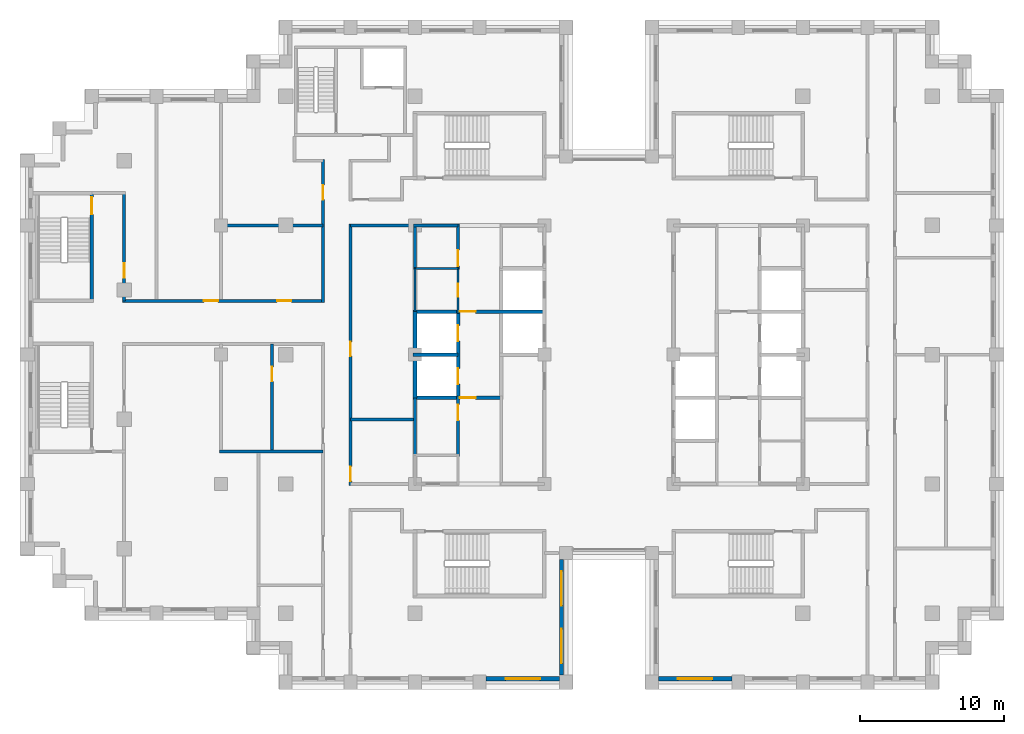
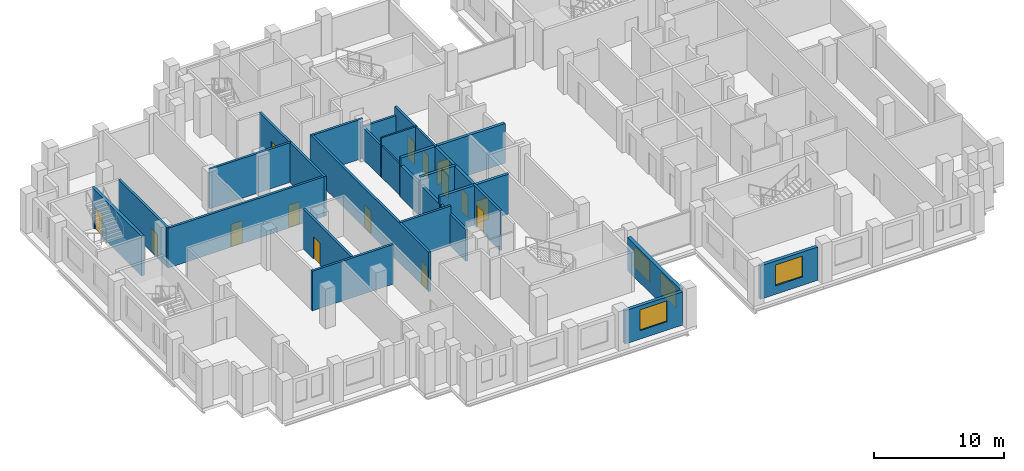
# One storey, part 7 of 15: 26 walls, 15 doors, 4 windows, 19 openings.
"""IFC4 building model written with IfcOpenShell, lengths in metres."""

from ifc_helpers import new_model, si_unit, direction, frame, frame_2d, origin, place, context, subcontext, project, spatial, rectangle, extrude, material, layer, layer_set, type_object, element, fill, save


model = new_model("IFC4")

# Units and contexts
model_context = context("Model", 3, precision=1e-05, world=origin(), true_north=direction((0.0, 1.0)))
body_context = subcontext(model_context, "Body", "Model", "MODEL_VIEW")
ifc_project = project(units=[si_unit("LENGTHUNIT", "METRE"), si_unit("AREAUNIT", "SQUARE_METRE"), si_unit("VOLUMEUNIT", "CUBIC_METRE"), si_unit("PLANEANGLEUNIT", "RADIAN"), si_unit("MASSUNIT", "GRAM", prefix="KILO")], contexts=[model_context])

# Site, building, storey
site_placement = place(None, origin())
site = spatial("IfcSite", under=ifc_project, at=site_placement, CompositionType="ELEMENT")
building_placement = place(site_placement, origin())
building = spatial("IfcBuilding", under=site, at=building_placement, Name="Corbelhall Arena Tower", CompositionType="ELEMENT")
storey_placement = place(building_placement, frame((0.0, 0.0, 188.0)))
storey = spatial("IfcBuildingStorey", under=building, at=storey_placement, Name="L38", CompositionType="ELEMENT", Elevation=188.0)

# Wall, opening, window
ifc_material_1 = material(Name="Precast concrete C40/50 with granite facing", Category="masonry")
ifc_layer_1 = layer(ifc_material_1, 0.300048828125)
ifc_layer_set_1 = layer_set([ifc_layer_1], Name="EV-IW1 Infill panel 300")
wall_type_1 = type_object("IfcWallType", Name="EV-IW1 Infill panel 300", PredefinedType="SOLIDWALL", material=ifc_layer_set_1)
wall_1_placement = place(storey_placement, frame((-8.550048828125, -22.550048828125, 0.0), z_axis=(0.0, 0.0, 1.0), x_axis=(1.0, 0.0, 0.0)))
wall_1 = element("IfcWall", 1, at=wall_1_placement, inside=storey, type_object=wall_type_1, Name="Infill panel IW1", PredefinedType="SOLIDWALL", context=body_context, shape_type="SweptSolid", body=[
    extrude(rectangle(XDim=5.10009765625, YDim=0.300048828125, at=frame_2d((2.550048828125, 0.0))), origin(), (0.0, 0.0, 1.0), 3.1201171875),
])
opening_1_placement = place(wall_1_placement, frame((1.35009765625, 0.0, 0.800048828125)))
opening_1 = element("IfcOpeningElement", 2, at=opening_1_placement, cuts=wall_1, Name="Opening WN1", PredefinedType="OPENING", context=body_context, shape_type="SweptSolid", body=[
    extrude(rectangle(XDim=2.39990234375, YDim=1.949951171875, at=frame_2d((1.199951171875, 0.97509765625))), frame((0.0, 0.14990234375, 0.0), z_axis=(0.0, -1.0, 0.0), x_axis=(1.0, 0.0, 0.0)), (0.0, 0.0, 1.0), 0.300048828125),
])
ifc_material_2 = material(Name="Aluminium black anodised", Category="aluminium")
window_type = type_object("IfcWindowType", Name="EV-WN1 Office window", PartitioningType="SINGLE_PANEL", PredefinedType="WINDOW", material=ifc_material_2)
window_1_placement = place(opening_1_placement, origin())
window_1 = element("IfcWindow", 3, at=window_1_placement, inside=storey, type_object=window_type, Name="Window WN1", OverallHeight=1.949951171875, OverallWidth=2.39990234375, PartitioningType="SINGLE_PANEL", PredefinedType="WINDOW", context=body_context, shape_type="SweptSolid", body=[
    extrude(rectangle(XDim=2.39990234375, YDim=1.949951171875, at=frame_2d((1.199951171875, 0.97509765625))), frame((0.0, 0.030029296875, 0.0), z_axis=(0.0, -1.0, 0.0), x_axis=(1.0, 0.0, 0.0)), (0.0, 0.0, 1.0), 0.06005859375),
])
fill(opening_1, window_1)

# Wall, openings, windows
wall_2_placement = place(storey_placement, frame((-3.300048828125, -22.300048828125, 0.0), z_axis=(0.0, 0.0, 1.0), x_axis=(0.0, 1.0, 0.0)))
wall_2 = element("IfcWall", 4, at=wall_2_placement, inside=storey, type_object=wall_type_1, Name="Infill panel IW1", PredefinedType="SOLIDWALL", context=body_context, shape_type="SweptSolid", body=[
    extrude(rectangle(XDim=8.050048828125, YDim=0.300048828125, at=frame_2d((4.02490234375, 0.0))), origin(), (0.0, 0.0, 1.0), 3.1201171875),
])
opening_2_placement = place(wall_2_placement, frame((0.8125, 0.0, 0.800048828125)))
opening_2 = element("IfcOpeningElement", 5, at=opening_2_placement, cuts=wall_2, Name="Opening WN1", PredefinedType="OPENING", context=body_context, shape_type="SweptSolid", body=[
    extrude(rectangle(XDim=2.39990234375, YDim=1.949951171875, at=frame_2d((1.199951171875, 0.97509765625))), frame((0.0, 0.14990234375, 0.0), z_axis=(0.0, -1.0, 0.0), x_axis=(1.0, 0.0, 0.0)), (0.0, 0.0, 1.0), 0.300048828125),
])
opening_3_placement = place(wall_2_placement, frame((4.83740234375, 0.0, 0.800048828125)))
opening_3 = element("IfcOpeningElement", 6, at=opening_3_placement, cuts=wall_2, Name="Opening WN1", PredefinedType="OPENING", context=body_context, shape_type="SweptSolid", body=[
    extrude(rectangle(XDim=2.39990234375, YDim=1.949951171875, at=frame_2d((1.199951171875, 0.97509765625))), frame((0.0, 0.14990234375, 0.0), z_axis=(0.0, -1.0, 0.0), x_axis=(1.0, 0.0, 0.0)), (0.0, 0.0, 1.0), 0.300048828125),
])
window_2_placement = place(opening_2_placement, origin())
window_2 = element("IfcWindow", 7, at=window_2_placement, inside=storey, type_object=window_type, Name="Window WN1", OverallHeight=1.949951171875, OverallWidth=2.39990234375, PartitioningType="SINGLE_PANEL", PredefinedType="WINDOW", context=body_context, shape_type="SweptSolid", body=[
    extrude(rectangle(XDim=2.39990234375, YDim=1.949951171875, at=frame_2d((1.199951171875, 0.97509765625))), frame((0.0, 0.030029296875, 0.0), z_axis=(0.0, -1.0, 0.0), x_axis=(1.0, 0.0, 0.0)), (0.0, 0.0, 1.0), 0.06005859375),
])
fill(opening_2, window_2)
window_3_placement = place(opening_3_placement, origin())
window_3 = element("IfcWindow", 8, at=window_3_placement, inside=storey, type_object=window_type, Name="Window WN1", OverallHeight=1.949951171875, OverallWidth=2.39990234375, PartitioningType="SINGLE_PANEL", PredefinedType="WINDOW", context=body_context, shape_type="SweptSolid", body=[
    extrude(rectangle(XDim=2.39990234375, YDim=1.949951171875, at=frame_2d((1.199951171875, 0.97509765625))), frame((0.0, 0.030029296875, 0.0), z_axis=(0.0, -1.0, 0.0), x_axis=(1.0, 0.0, 0.0)), (0.0, 0.0, 1.0), 0.06005859375),
])
fill(opening_3, window_3)

# Wall, opening, window
wall_3_placement = place(storey_placement, frame((3.449951171875, -22.550048828125, 0.0), z_axis=(0.0, 0.0, 1.0), x_axis=(1.0, 0.0, 0.0)))
wall_3 = element("IfcWall", 9, at=wall_3_placement, inside=storey, type_object=wall_type_1, Name="Infill panel IW1", PredefinedType="SOLIDWALL", context=body_context, shape_type="SweptSolid", body=[
    extrude(rectangle(XDim=5.10009765625, YDim=0.300048828125, at=frame_2d((2.550048828125, 0.0))), origin(), (0.0, 0.0, 1.0), 3.1201171875),
])
opening_4_placement = place(wall_3_placement, frame((1.35009765625, 0.0, 0.800048828125)))
opening_4 = element("IfcOpeningElement", 10, at=opening_4_placement, cuts=wall_3, Name="Opening WN1", PredefinedType="OPENING", context=body_context, shape_type="SweptSolid", body=[
    extrude(rectangle(XDim=2.39990234375, YDim=1.949951171875, at=frame_2d((1.199951171875, 0.97509765625))), frame((0.0, 0.14990234375, 0.0), z_axis=(0.0, -1.0, 0.0), x_axis=(1.0, 0.0, 0.0)), (0.0, 0.0, 1.0), 0.300048828125),
])
window_4_placement = place(opening_4_placement, origin())
window_4 = element("IfcWindow", 11, at=window_4_placement, inside=storey, type_object=window_type, Name="Window WN1", OverallHeight=1.949951171875, OverallWidth=2.39990234375, PartitioningType="SINGLE_PANEL", PredefinedType="WINDOW", context=body_context, shape_type="SweptSolid", body=[
    extrude(rectangle(XDim=2.39990234375, YDim=1.949951171875, at=frame_2d((1.199951171875, 0.97509765625))), frame((0.0, 0.030029296875, 0.0), z_axis=(0.0, -1.0, 0.0), x_axis=(1.0, 0.0, 0.0)), (0.0, 0.0, 1.0), 0.06005859375),
])
fill(opening_4, window_4)

# Wall, openings, doors
ifc_material_3 = material(Name="Gypsum board on steel stud, acoustic", Category="steel")
ifc_layer_2 = layer(ifc_material_3, 0.199951171875)
ifc_layer_set_2 = layer_set([ifc_layer_2], Name="IN-W-DM200")
wall_type_2 = type_object("IfcWallType", Name="IN-W-DM200", PredefinedType="PARTITIONING", material=ifc_layer_set_2)
wall_4_placement = place(storey_placement, frame((-33.85009765625, 3.75, 0.0), z_axis=(0.0, 0.0, 1.0), x_axis=(1.0, 0.0, 0.0)))
wall_4 = element("IfcWall", 12, at=wall_4_placement, inside=storey, type_object=wall_type_2, Name="Partition 002", PredefinedType="PARTITIONING", context=body_context, shape_type="SweptSolid", body=[
    extrude(rectangle(XDim=13.9501953125, YDim=0.199951171875, at=frame_2d((6.97509765625, 0.0))), origin(), (0.0, 0.0, 1.0), 3.719970703125),
])
opening_5_placement = place(wall_4_placement, frame((10.75, 0.0, 0.0)))
opening_5 = element("IfcOpeningElement", 13, at=opening_5_placement, cuts=wall_4, Name="Opening 11031", PredefinedType="OPENING", context=body_context, shape_type="SweptSolid", body=[
    extrude(rectangle(XDim=1.0, YDim=2.10009765625, at=frame_2d((0.5, 1.050048828125))), frame((0.0, 0.10009765625, 0.0), z_axis=(0.0, -1.0, 0.0), x_axis=(1.0, 0.0, 0.0)), (0.0, 0.0, 1.0), 0.199951171875),
])
opening_6_placement = place(wall_4_placement, frame((5.64990234375, 0.0, 0.0)))
opening_6 = element("IfcOpeningElement", 14, at=opening_6_placement, cuts=wall_4, Name="Opening 11044", PredefinedType="OPENING", context=body_context, shape_type="SweptSolid", body=[
    extrude(rectangle(XDim=1.0, YDim=2.10009765625, at=frame_2d((0.5, 1.050048828125))), frame((0.0, 0.10009765625, 0.0), z_axis=(0.0, -1.0, 0.0), x_axis=(1.0, 0.0, 0.0)), (0.0, 0.0, 1.0), 0.199951171875),
])
ifc_material_4 = material(Name="Steel door set", Category="steel")
door_type_1 = type_object("IfcDoorType", Name="IN-D-SW100", OperationType="NOTDEFINED", PredefinedType="DOOR", material=ifc_material_4)
door_1_placement = place(opening_5_placement, origin())
door_1 = element("IfcDoor", 15, at=door_1_placement, inside=storey, type_object=door_type_1, Name="Door 031", OperationType="SINGLE_SWING_RIGHT", OverallHeight=2.10009765625, OverallWidth=1.0, PredefinedType="DOOR", context=body_context, shape_type="SweptSolid", body=[
    extrude(rectangle(XDim=1.0, YDim=2.10009765625, at=frame_2d((0.5, 1.050048828125))), frame((0.0, 0.02490234375, 0.0), z_axis=(0.0, -1.0, 0.0), x_axis=(1.0, 0.0, 0.0)), (0.0, 0.0, 1.0), 0.050048828125),
])
fill(opening_5, door_1)
door_2_placement = place(opening_6_placement, origin())
door_2 = element("IfcDoor", 16, at=door_2_placement, inside=storey, type_object=door_type_1, Name="Door 044", OperationType="SINGLE_SWING_LEFT", OverallHeight=2.10009765625, OverallWidth=1.0, PredefinedType="DOOR", context=body_context, shape_type="SweptSolid", body=[
    extrude(rectangle(XDim=1.0, YDim=2.10009765625, at=frame_2d((0.5, 1.050048828125))), frame((0.0, 0.02490234375, 0.0), z_axis=(0.0, -1.0, 0.0), x_axis=(1.0, 0.0, 0.0)), (0.0, 0.0, 1.0), 0.050048828125),
])
fill(opening_6, door_2)

# Wall, opening, door
wall_5_placement = place(storey_placement, frame((-33.75, 11.25, 0.0), z_axis=(0.0, 0.0, 1.0), x_axis=(0.0, -1.0, 0.0)))
wall_5 = element("IfcWall", 17, at=wall_5_placement, inside=storey, type_object=wall_type_2, Name="Partition 004", PredefinedType="PARTITIONING", context=body_context, shape_type="SweptSolid", body=[
    extrude(rectangle(XDim=7.5, YDim=0.199951171875, at=frame_2d((3.75, 0.0))), origin(), (0.0, 0.0, 1.0), 3.719970703125),
])
opening_7_placement = place(wall_5_placement, frame((4.89990234375, 0.0, 0.0)))
opening_7 = element("IfcOpeningElement", 18, at=opening_7_placement, cuts=wall_5, Name="Opening 11043", PredefinedType="OPENING", context=body_context, shape_type="SweptSolid", body=[
    extrude(rectangle(XDim=1.0, YDim=2.10009765625, at=frame_2d((0.5, 1.050048828125))), frame((0.0, 0.10009765625, 0.0), z_axis=(0.0, -1.0, 0.0), x_axis=(1.0, 0.0, 0.0)), (0.0, 0.0, 1.0), 0.199951171875),
])
door_3_placement = place(opening_7_placement, origin())
door_3 = element("IfcDoor", 19, at=door_3_placement, inside=storey, type_object=door_type_1, Name="Door 043", OperationType="SINGLE_SWING_RIGHT", OverallHeight=2.10009765625, OverallWidth=1.0, PredefinedType="DOOR", context=body_context, shape_type="SweptSolid", body=[
    extrude(rectangle(XDim=1.0, YDim=2.10009765625, at=frame_2d((0.5, 1.050048828125))), frame((0.0, 0.02490234375, 0.0), z_axis=(0.0, -1.0, 0.0), x_axis=(1.0, 0.0, 0.0)), (0.0, 0.0, 1.0), 0.050048828125),
])
fill(opening_7, door_3)

# Walls
for number, where, z_axis, x_axis, name in (
    (20, (-27.10009765625, 9.0, 0.0), (0.0, 0.0, 1.0), (1.0, 0.0, 0.0), "Partition 007"),
    (21, (-27.10009765625, -6.75, 0.0), (0.0, 0.0, 1.0), (1.0, 0.0, 0.0), "Partition 012"),
):
    element("IfcWall", number, at=place(storey_placement, frame(where, z_axis=z_axis, x_axis=x_axis)), inside=storey, type_object=wall_type_2, Name=name, PredefinedType="PARTITIONING", context=body_context, shape_type="SweptSolid", body=[
        extrude(rectangle(XDim=7.2001953125, YDim=0.199951171875, at=frame_2d((3.60009765625, 0.0))), origin(), (0.0, 0.0, 1.0), 3.719970703125),
    ])

# Wall, opening, door
wall_6_placement = place(storey_placement, frame((-23.449951171875, -6.75, 0.0), z_axis=(0.0, 0.0, 1.0), x_axis=(0.0, 1.0, 0.0)))
wall_6 = element("IfcWall", 22, at=wall_6_placement, inside=storey, type_object=wall_type_2, Name="Partition 014", PredefinedType="PARTITIONING", context=body_context, shape_type="SweptSolid", body=[
    extrude(rectangle(XDim=7.5, YDim=0.199951171875, at=frame_2d((3.75, 0.0))), origin(), (0.0, 0.0, 1.0), 3.719970703125),
])
opening_8_placement = place(wall_6_placement, frame((4.89990234375, 0.0, 0.0)))
opening_8 = element("IfcOpeningElement", 23, at=opening_8_placement, cuts=wall_6, Name="Opening 11036", PredefinedType="OPENING", context=body_context, shape_type="SweptSolid", body=[
    extrude(rectangle(XDim=1.0, YDim=2.10009765625, at=frame_2d((0.5, 1.050048828125))), frame((0.0, 0.10009765625, 0.0), z_axis=(0.0, -1.0, 0.0), x_axis=(1.0, 0.0, 0.0)), (0.0, 0.0, 1.0), 0.199951171875),
])
door_4_placement = place(opening_8_placement, origin())
door_4 = element("IfcDoor", 24, at=door_4_placement, inside=storey, type_object=door_type_1, Name="Door 036", OperationType="SINGLE_SWING_LEFT", OverallHeight=2.10009765625, OverallWidth=1.0, PredefinedType="DOOR", context=body_context, shape_type="SweptSolid", body=[
    extrude(rectangle(XDim=1.0, YDim=2.10009765625, at=frame_2d((0.5, 1.050048828125))), frame((0.0, 0.02490234375, 0.0), z_axis=(0.0, -1.0, 0.0), x_axis=(1.0, 0.0, 0.0)), (0.0, 0.0, 1.0), 0.050048828125),
])
fill(opening_8, door_4)

wall_7_placement = place(storey_placement, frame((-19.89990234375, 3.64990234375, 0.0), z_axis=(0.0, 0.0, 1.0), x_axis=(0.0, 1.0, 0.0)))
wall_7 = element("IfcWall", 25, at=wall_7_placement, inside=storey, type_object=wall_type_2, Name="Partition 017", PredefinedType="PARTITIONING", context=body_context, shape_type="SweptSolid", body=[
    extrude(rectangle(XDim=9.9501953125, YDim=0.199951171875, at=frame_2d((4.97509765625, 0.0))), origin(), (0.0, 0.0, 1.0), 3.719970703125),
])
opening_9_placement = place(wall_7_placement, frame((7.14990234375, 0.0, 0.0)))
opening_9 = element("IfcOpeningElement", 26, at=opening_9_placement, cuts=wall_7, Name="Opening 11032", PredefinedType="OPENING", context=body_context, shape_type="SweptSolid", body=[
    extrude(rectangle(XDim=1.0, YDim=2.10009765625, at=frame_2d((0.5, 1.050048828125))), frame((0.0, 0.10009765625, 0.0), z_axis=(0.0, -1.0, 0.0), x_axis=(1.0, 0.0, 0.0)), (0.0, 0.0, 1.0), 0.199951171875),
])
door_5_placement = place(opening_9_placement, origin())
door_5 = element("IfcDoor", 27, at=door_5_placement, inside=storey, type_object=door_type_1, Name="Door 032", OperationType="SINGLE_SWING_LEFT", OverallHeight=2.10009765625, OverallWidth=1.0, PredefinedType="DOOR", context=body_context, shape_type="SweptSolid", body=[
    extrude(rectangle(XDim=1.0, YDim=2.10009765625, at=frame_2d((0.5, 1.050048828125))), frame((0.0, 0.02490234375, 0.0), z_axis=(0.0, -1.0, 0.0), x_axis=(1.0, 0.0, 0.0)), (0.0, 0.0, 1.0), 0.050048828125),
])
fill(opening_9, door_5)

# Wall
wall_8_placement = place(storey_placement, frame((-18.0, -4.5, 0.0), z_axis=(0.0, 0.0, 1.0), x_axis=(1.0, 0.0, 0.0)))
element("IfcWall", 28, at=wall_8_placement, inside=storey, type_object=wall_type_2, Name="Partition 021", PredefinedType="PARTITIONING", context=body_context, shape_type="SweptSolid", body=[
    extrude(rectangle(XDim=4.5, YDim=0.199951171875, at=frame_2d((2.25, 0.0))), origin(), (0.0, 0.0, 1.0), 3.719970703125),
])

# Wall, openings, doors
wall_9_placement = place(storey_placement, frame((-18.0, 9.10009765625, 0.0), z_axis=(0.0, 0.0, 1.0), x_axis=(0.0, -1.0, 0.0)))
wall_9 = element("IfcWall", 29, at=wall_9_placement, inside=storey, type_object=wall_type_2, Name="Partition 022", PredefinedType="PARTITIONING", context=body_context, shape_type="SweptSolid", body=[
    extrude(rectangle(XDim=18.2001953125, YDim=0.199951171875, at=frame_2d((9.10009765625, 0.0))), origin(), (0.0, 0.0, 1.0), 3.719970703125),
])
opening_10_placement = place(wall_9_placement, frame((16.89990234375, 0.0, 0.0)))
opening_10 = element("IfcOpeningElement", 30, at=opening_10_placement, cuts=wall_9, Name="Opening 11022", PredefinedType="OPENING", context=body_context, shape_type="SweptSolid", body=[
    extrude(rectangle(XDim=1.0, YDim=2.10009765625, at=frame_2d((0.5, 1.050048828125))), frame((0.0, 0.10009765625, 0.0), z_axis=(0.0, -1.0, 0.0), x_axis=(1.0, 0.0, 0.0)), (0.0, 0.0, 1.0), 0.199951171875),
])
opening_11_placement = place(wall_9_placement, frame((8.199951171875, 0.0, 0.0)))
opening_11 = element("IfcOpeningElement", 31, at=opening_11_placement, cuts=wall_9, Name="Opening 11023", PredefinedType="OPENING", context=body_context, shape_type="SweptSolid", body=[
    extrude(rectangle(XDim=1.0, YDim=2.10009765625, at=frame_2d((0.5, 1.050048828125))), frame((0.0, 0.10009765625, 0.0), z_axis=(0.0, -1.0, 0.0), x_axis=(1.0, 0.0, 0.0)), (0.0, 0.0, 1.0), 0.199951171875),
])
door_6_placement = place(opening_10_placement, origin())
door_6 = element("IfcDoor", 32, at=door_6_placement, inside=storey, type_object=door_type_1, Name="Door 022", OperationType="SINGLE_SWING_LEFT", OverallHeight=2.10009765625, OverallWidth=1.0, PredefinedType="DOOR", context=body_context, shape_type="SweptSolid", body=[
    extrude(rectangle(XDim=1.0, YDim=2.10009765625, at=frame_2d((0.5, 1.050048828125))), frame((0.0, 0.02490234375, 0.0), z_axis=(0.0, -1.0, 0.0), x_axis=(1.0, 0.0, 0.0)), (0.0, 0.0, 1.0), 0.050048828125),
])
fill(opening_10, door_6)
door_7_placement = place(opening_11_placement, origin())
door_7 = element("IfcDoor", 33, at=door_7_placement, inside=storey, type_object=door_type_1, Name="Door 023", OperationType="SINGLE_SWING_RIGHT", OverallHeight=2.10009765625, OverallWidth=1.0, PredefinedType="DOOR", context=body_context, shape_type="SweptSolid", body=[
    extrude(rectangle(XDim=1.0, YDim=2.10009765625, at=frame_2d((0.5, 1.050048828125))), frame((0.0, 0.02490234375, 0.0), z_axis=(0.0, -1.0, 0.0), x_axis=(1.0, 0.0, 0.0)), (0.0, 0.0, 1.0), 0.050048828125),
])
fill(opening_11, door_7)

# Wall
wall_10_placement = place(storey_placement, frame((-13.5, 9.0, 0.0), z_axis=(0.0, 0.0, 1.0), x_axis=(-1.0, 0.0, 0.0)))
element("IfcWall", 34, at=wall_10_placement, inside=storey, type_object=wall_type_2, Name="Partition 030", PredefinedType="PARTITIONING", context=body_context, shape_type="SweptSolid", body=[
    extrude(rectangle(XDim=4.5, YDim=0.199951171875, at=frame_2d((2.25, 0.0))), origin(), (0.0, 0.0, 1.0), 3.719970703125),
])

# Wall, opening, door
ifc_material_5 = material(Name="Concrete block wall", Category="concrete")
ifc_layer_3 = layer(ifc_material_5, 0.199951171875)
ifc_layer_set_3 = layer_set([ifc_layer_3], Name="IN-W-RS200")
wall_type_3 = type_object("IfcWallType", Name="IN-W-RS200", PredefinedType="SOLIDWALL", material=ifc_layer_set_3)
wall_11_placement = place(storey_placement, frame((-10.5, -7.074951171875, 0.0), z_axis=(0.0, 0.0, 1.0), x_axis=(0.0, 1.0, 0.0)))
wall_11 = element("IfcWall", 35, at=wall_11_placement, inside=storey, type_object=wall_type_3, Name="Partition 059", PredefinedType="SOLIDWALL", context=body_context, shape_type="SweptSolid", body=[
    extrude(rectangle(XDim=4.199951171875, YDim=0.199951171875, at=frame_2d((2.10009765625, 0.0))), origin(), (0.0, 0.0, 1.0), 3.719970703125),
])
opening_12_placement = place(wall_11_placement, frame((2.5, 0.0, 0.0)))
opening_12 = element("IfcOpeningElement", 36, at=opening_12_placement, cuts=wall_11, Name="Opening 11006", PredefinedType="OPENING", context=body_context, shape_type="SweptSolid", body=[
    extrude(rectangle(XDim=1.10009765625, YDim=2.10009765625, at=frame_2d((0.550048828125, 1.050048828125))), frame((0.0, 0.10009765625, 0.0), z_axis=(0.0, -1.0, 0.0), x_axis=(1.0, 0.0, 0.0)), (0.0, 0.0, 1.0), 0.199951171875),
])
door_type_2 = type_object("IfcDoorType", Name="IN-D-FD110", OperationType="NOTDEFINED", PredefinedType="DOOR", material=ifc_material_4)
door_8_placement = place(opening_12_placement, origin())
door_8 = element("IfcDoor", 37, at=door_8_placement, inside=storey, type_object=door_type_2, Name="Door 006", OperationType="SINGLE_SWING_LEFT", OverallHeight=2.10009765625, OverallWidth=1.10009765625, PredefinedType="DOOR", context=body_context, shape_type="SweptSolid", body=[
    extrude(rectangle(XDim=1.10009765625, YDim=2.10009765625, at=frame_2d((0.550048828125, 1.050048828125))), frame((0.0, 0.02490234375, 0.0), z_axis=(0.0, -1.0, 0.0), x_axis=(1.0, 0.0, 0.0)), (0.0, 0.0, 1.0), 0.050048828125),
])
fill(opening_12, door_8)

wall_12_placement = place(storey_placement, frame((-10.5, 5.925048828125, 0.0), z_axis=(0.0, 0.0, 1.0), x_axis=(0.0, 1.0, 0.0)))
wall_12 = element("IfcWall", 38, at=wall_12_placement, inside=storey, type_object=wall_type_3, Name="Partition 060", PredefinedType="SOLIDWALL", context=body_context, shape_type="SweptSolid", body=[
    extrude(rectangle(XDim=3.175048828125, YDim=0.199951171875, at=frame_2d((1.58740234375, 0.0))), origin(), (0.0, 0.0, 1.0), 3.719970703125),
])
opening_13_placement = place(wall_12_placement, frame((0.25, 0.0, 0.0)))
opening_13 = element("IfcOpeningElement", 39, at=opening_13_placement, cuts=wall_12, Name="Opening 11008", PredefinedType="OPENING", context=body_context, shape_type="SweptSolid", body=[
    extrude(rectangle(XDim=1.10009765625, YDim=2.10009765625, at=frame_2d((0.550048828125, 1.050048828125))), frame((0.0, 0.10009765625, 0.0), z_axis=(0.0, -1.0, 0.0), x_axis=(1.0, 0.0, 0.0)), (0.0, 0.0, 1.0), 0.199951171875),
])
door_9_placement = place(opening_13_placement, origin())
door_9 = element("IfcDoor", 40, at=door_9_placement, inside=storey, type_object=door_type_2, Name="Door 008", OperationType="SINGLE_SWING_LEFT", OverallHeight=2.10009765625, OverallWidth=1.10009765625, PredefinedType="DOOR", context=body_context, shape_type="SweptSolid", body=[
    extrude(rectangle(XDim=1.10009765625, YDim=2.10009765625, at=frame_2d((0.550048828125, 1.050048828125))), frame((0.0, 0.02490234375, 0.0), z_axis=(0.0, -1.0, 0.0), x_axis=(1.0, 0.0, 0.0)), (0.0, 0.0, 1.0), 0.050048828125),
])
fill(opening_13, door_9)

# Walls
ifc_layer_4 = layer(ifc_material_5, 0.199951171875)
ifc_layer_set_4 = layer_set([ifc_layer_4], Name="IN-W-RS200 under beam 762 mm")
wall_type_4 = type_object("IfcWallType", Name="IN-W-RS200 under beam 762 mm", PredefinedType="SOLIDWALL", material=ifc_layer_set_4)
wall_13_placement = place(storey_placement, frame((-13.60009765625, 9.0, 0.0), z_axis=(0.0, 0.0, 1.0), x_axis=(1.0, 0.0, 0.0)))
element("IfcWall", 41, at=wall_13_placement, inside=storey, type_object=wall_type_4, Name="Partition 056", PredefinedType="SOLIDWALL", context=body_context, shape_type="SweptSolid", body=[
    extrude(rectangle(XDim=3.10009765625, YDim=0.199951171875, at=frame_2d((1.550048828125, 0.0))), origin(), (0.0, 0.0, 1.0), 2.9580078125),
])
wall_14_placement = place(storey_placement, frame((-13.5, -7.0, 0.0), z_axis=(0.0, 0.0, 1.0), x_axis=(0.0, 1.0, 0.0)))
element("IfcWall", 42, at=wall_14_placement, inside=storey, type_object=wall_type_4, Name="Partition 057", PredefinedType="SOLIDWALL", context=body_context, shape_type="SweptSolid", body=[
    extrude(rectangle(XDim=4.0, YDim=0.199951171875, at=frame_2d((2.0, 0.0))), origin(), (0.0, 0.0, 1.0), 2.9580078125),
])
wall_15_placement = place(storey_placement, frame((-13.5, 6.0, 0.0), z_axis=(0.0, 0.0, 1.0), x_axis=(0.0, 1.0, 0.0)))
element("IfcWall", 43, at=wall_15_placement, inside=storey, type_object=wall_type_4, Name="Partition 058", PredefinedType="SOLIDWALL", context=body_context, shape_type="SweptSolid", body=[
    extrude(rectangle(XDim=3.10009765625, YDim=0.199951171875, at=frame_2d((1.550048828125, 0.0))), origin(), (0.0, 0.0, 1.0), 2.9580078125),
])
ifc_material_6 = material(Name="Concrete C40/50", Category="concrete")
ifc_layer_5 = layer(ifc_material_6, 0.25)
ifc_layer_set_5 = layer_set([ifc_layer_5], Name="IN-W-SH250")
wall_type_5 = type_object("IfcWallType", Name="IN-W-SH250", PredefinedType="SOLIDWALL", material=ifc_layer_set_5)
wall_16_placement = place(storey_placement, frame((-13.625, 0.0, 0.0), z_axis=(0.0, 0.0, 1.0), x_axis=(1.0, 0.0, 0.0)))
element("IfcWall", 44, at=wall_16_placement, inside=storey, type_object=wall_type_5, Name="Shaft wall 078", PredefinedType="SOLIDWALL", context=body_context, shape_type="SweptSolid", body=[
    extrude(rectangle(XDim=3.125, YDim=0.25, at=frame_2d((1.5625, 0.0))), origin(), (0.0, 0.0, 1.0), 3.719970703125),
])

# Wall, opening, door
wall_17_placement = place(storey_placement, frame((-13.625, 3.0, 0.0), z_axis=(0.0, 0.0, 1.0), x_axis=(1.0, 0.0, 0.0)))
wall_17 = element("IfcWall", 45, at=wall_17_placement, inside=storey, type_object=wall_type_5, Name="Shaft wall 079", PredefinedType="SOLIDWALL", context=body_context, shape_type="SweptSolid", body=[
    extrude(rectangle(XDim=9.25, YDim=0.25, at=frame_2d((4.625, 0.0))), origin(), (0.0, 0.0, 1.0), 3.719970703125),
])
opening_14_placement = place(wall_17_placement, frame((3.25, 0.0, 0.0)))
opening_14 = element("IfcOpeningElement", 46, at=opening_14_placement, cuts=wall_17, Name="Opening 11004", PredefinedType="OPENING", context=body_context, shape_type="SweptSolid", body=[
    extrude(rectangle(XDim=1.10009765625, YDim=2.10009765625, at=frame_2d((0.550048828125, 1.050048828125))), frame((0.0, 0.125, 0.0), z_axis=(0.0, -1.0, 0.0), x_axis=(1.0, 0.0, 0.0)), (0.0, 0.0, 1.0), 0.25),
])
door_10_placement = place(opening_14_placement, origin())
door_10 = element("IfcDoor", 47, at=door_10_placement, inside=storey, type_object=door_type_2, Name="Door 004", OperationType="SINGLE_SWING_LEFT", OverallHeight=2.10009765625, OverallWidth=1.10009765625, PredefinedType="DOOR", context=body_context, shape_type="SweptSolid", body=[
    extrude(rectangle(XDim=1.10009765625, YDim=2.10009765625, at=frame_2d((0.550048828125, 1.050048828125))), frame((0.0, 0.02490234375, 0.0), z_axis=(0.0, -1.0, 0.0), x_axis=(1.0, 0.0, 0.0)), (0.0, 0.0, 1.0), 0.050048828125),
])
fill(opening_14, door_10)

wall_18_placement = place(storey_placement, frame((-13.625, -3.0, 0.0), z_axis=(0.0, 0.0, 1.0), x_axis=(1.0, 0.0, 0.0)))
wall_18 = element("IfcWall", 48, at=wall_18_placement, inside=storey, type_object=wall_type_5, Name="Shaft wall 081", PredefinedType="SOLIDWALL", context=body_context, shape_type="SweptSolid", body=[
    extrude(rectangle(XDim=6.125, YDim=0.25, at=frame_2d((3.0625, 0.0))), origin(), (0.0, 0.0, 1.0), 3.719970703125),
])
opening_15_placement = place(wall_18_placement, frame((3.25, 0.0, 0.0)))
opening_15 = element("IfcOpeningElement", 49, at=opening_15_placement, cuts=wall_18, Name="Opening 11003", PredefinedType="OPENING", context=body_context, shape_type="SweptSolid", body=[
    extrude(rectangle(XDim=1.10009765625, YDim=2.10009765625, at=frame_2d((0.550048828125, 1.050048828125))), frame((0.0, 0.125, 0.0), z_axis=(0.0, -1.0, 0.0), x_axis=(1.0, 0.0, 0.0)), (0.0, 0.0, 1.0), 0.25),
])
door_11_placement = place(opening_15_placement, origin())
door_11 = element("IfcDoor", 50, at=door_11_placement, inside=storey, type_object=door_type_2, Name="Door 003", OperationType="SINGLE_SWING_RIGHT", OverallHeight=2.10009765625, OverallWidth=1.10009765625, PredefinedType="DOOR", context=body_context, shape_type="SweptSolid", body=[
    extrude(rectangle(XDim=1.10009765625, YDim=2.10009765625, at=frame_2d((0.550048828125, 1.050048828125))), frame((0.0, 0.02490234375, 0.0), z_axis=(0.0, -1.0, 0.0), x_axis=(1.0, 0.0, 0.0)), (0.0, 0.0, 1.0), 0.050048828125),
])
fill(opening_15, door_11)

# Wall, openings, doors
wall_19_placement = place(storey_placement, frame((-10.5, -3.125, 0.0), z_axis=(0.0, 0.0, 1.0), x_axis=(0.0, 1.0, 0.0)))
wall_19 = element("IfcWall", 51, at=wall_19_placement, inside=storey, type_object=wall_type_5, Name="Shaft wall 082", PredefinedType="SOLIDWALL", context=body_context, shape_type="SweptSolid", body=[
    extrude(rectangle(XDim=6.25, YDim=0.25, at=frame_2d((3.125, 0.0))), origin(), (0.0, 0.0, 1.0), 3.719970703125),
])
opening_16_placement = place(wall_19_placement, frame((1.074951171875, 0.0, 0.0)))
opening_16 = element("IfcOpeningElement", 52, at=opening_16_placement, cuts=wall_19, Name="Opening LD", PredefinedType="OPENING", context=body_context, shape_type="SweptSolid", body=[
    extrude(rectangle(XDim=1.10009765625, YDim=2.10009765625, at=frame_2d((0.550048828125, 1.050048828125))), frame((0.0, 0.125, 0.0), z_axis=(0.0, -1.0, 0.0), x_axis=(1.0, 0.0, 0.0)), (0.0, 0.0, 1.0), 0.25),
])
opening_17_placement = place(wall_19_placement, frame((4.074951171875, 0.0, 0.0)))
opening_17 = element("IfcOpeningElement", 53, at=opening_17_placement, cuts=wall_19, Name="Opening LD", PredefinedType="OPENING", context=body_context, shape_type="SweptSolid", body=[
    extrude(rectangle(XDim=1.10009765625, YDim=2.10009765625, at=frame_2d((0.550048828125, 1.050048828125))), frame((0.0, 0.125, 0.0), z_axis=(0.0, -1.0, 0.0), x_axis=(1.0, 0.0, 0.0)), (0.0, 0.0, 1.0), 0.25),
])
door_type_3 = type_object("IfcDoorType", Name="IN-D-LD110", OperationType="NOTDEFINED", PredefinedType="DOOR", material=ifc_material_4)
door_12_placement = place(opening_16_placement, origin())
door_12 = element("IfcDoor", 54, at=door_12_placement, inside=storey, type_object=door_type_3, Name="Landing door W3", OperationType="SLIDING_TO_LEFT", OverallHeight=2.10009765625, OverallWidth=1.10009765625, PredefinedType="DOOR", context=body_context, shape_type="SweptSolid", body=[
    extrude(rectangle(XDim=1.10009765625, YDim=2.10009765625, at=frame_2d((0.550048828125, 1.050048828125))), frame((0.0, 0.02490234375, 0.0), z_axis=(0.0, -1.0, 0.0), x_axis=(1.0, 0.0, 0.0)), (0.0, 0.0, 1.0), 0.050048828125),
])
fill(opening_16, door_12)
door_13_placement = place(opening_17_placement, origin())
door_13 = element("IfcDoor", 55, at=door_13_placement, inside=storey, type_object=door_type_3, Name="Landing door W4", OperationType="SLIDING_TO_LEFT", OverallHeight=2.10009765625, OverallWidth=1.10009765625, PredefinedType="DOOR", context=body_context, shape_type="SweptSolid", body=[
    extrude(rectangle(XDim=1.10009765625, YDim=2.10009765625, at=frame_2d((0.550048828125, 1.050048828125))), frame((0.0, 0.02490234375, 0.0), z_axis=(0.0, -1.0, 0.0), x_axis=(1.0, 0.0, 0.0)), (0.0, 0.0, 1.0), 0.050048828125),
])
fill(opening_17, door_13)

# Wall
ifc_layer_6 = layer(ifc_material_6, 0.25)
ifc_layer_set_6 = layer_set([ifc_layer_6], Name="IN-W-SH250 under beam 762 mm")
wall_type_6 = type_object("IfcWallType", Name="IN-W-SH250 under beam 762 mm", PredefinedType="SOLIDWALL", material=ifc_layer_set_6)
wall_20_placement = place(storey_placement, frame((-13.5, -3.0, 0.0), z_axis=(0.0, 0.0, 1.0), x_axis=(0.0, 1.0, 0.0)))
element("IfcWall", 56, at=wall_20_placement, inside=storey, type_object=wall_type_6, Name="Shaft wall 080", PredefinedType="SOLIDWALL", context=body_context, shape_type="SweptSolid", body=[
    extrude(rectangle(XDim=6.0, YDim=0.25, at=frame_2d((3.0, 0.0))), origin(), (0.0, 0.0, 1.0), 2.9580078125),
])

# Wall, opening, door
ifc_layer_7 = layer(ifc_material_6, 0.25)
ifc_layer_set_7 = layer_set([ifc_layer_7], Name="IN-W-ST250")
wall_type_7 = type_object("IfcWallType", Name="IN-W-ST250", PredefinedType="SOLIDWALL", material=ifc_layer_set_7)
wall_21_placement = place(storey_placement, frame((-36.0, 11.375, 0.0), z_axis=(0.0, 0.0, 1.0), x_axis=(0.0, -1.0, 0.0)))
wall_21 = element("IfcWall", 57, at=wall_21_placement, inside=storey, type_object=wall_type_7, Name="Shaft wall 101", PredefinedType="SOLIDWALL", context=body_context, shape_type="SweptSolid", body=[
    extrude(rectangle(XDim=7.625, YDim=0.25, at=frame_2d((3.8125, 0.0))), origin(), (0.0, 0.0, 1.0), 3.719970703125),
])
opening_18_placement = place(wall_21_placement, frame((0.39990234375, 0.0, 0.0)))
opening_18 = element("IfcOpeningElement", 58, at=opening_18_placement, cuts=wall_21, Name="Opening 11020", PredefinedType="OPENING", context=body_context, shape_type="SweptSolid", body=[
    extrude(rectangle(XDim=1.199951171875, YDim=2.10009765625, at=frame_2d((0.60009765625, 1.050048828125))), frame((0.0, 0.125, 0.0), z_axis=(0.0, -1.0, 0.0), x_axis=(1.0, 0.0, 0.0)), (0.0, 0.0, 1.0), 0.25),
])
door_type_4 = type_object("IfcDoorType", Name="IN-D-ST120", OperationType="NOTDEFINED", PredefinedType="DOOR", material=ifc_material_4)
door_14_placement = place(opening_18_placement, origin())
door_14 = element("IfcDoor", 59, at=door_14_placement, inside=storey, type_object=door_type_4, Name="Door 020", OperationType="SINGLE_SWING_LEFT", OverallHeight=2.10009765625, OverallWidth=1.199951171875, PredefinedType="DOOR", context=body_context, shape_type="SweptSolid", body=[
    extrude(rectangle(XDim=1.199951171875, YDim=2.10009765625, at=frame_2d((0.60009765625, 1.050048828125))), frame((0.0, 0.02490234375, 0.0), z_axis=(0.0, -1.0, 0.0), x_axis=(1.0, 0.0, 0.0)), (0.0, 0.0, 1.0), 0.050048828125),
])
fill(opening_18, door_14)

# Wall
ifc_material_7 = material(Name="Gypsum board on steel stud, moisture resistant", Category="steel")
ifc_layer_8 = layer(ifc_material_7, 0.14990234375)
ifc_layer_set_8 = layer_set([ifc_layer_8], Name="IN-W-WC150")
wall_type_8 = type_object("IfcWallType", Name="IN-W-WC150", PredefinedType="PARTITIONING", material=ifc_layer_set_8)
wall_22_placement = place(storey_placement, frame((-13.60009765625, 6.0, 0.0), z_axis=(0.0, 0.0, 1.0), x_axis=(1.0, 0.0, 0.0)))
element("IfcWall", 60, at=wall_22_placement, inside=storey, type_object=wall_type_8, Name="Partition 120", PredefinedType="PARTITIONING", context=body_context, shape_type="SweptSolid", body=[
    extrude(rectangle(XDim=3.10009765625, YDim=0.14990234375, at=frame_2d((1.550048828125, 0.0))), origin(), (0.0, 0.0, 1.0), 3.719970703125),
])

# Wall, opening, door
wall_23_placement = place(storey_placement, frame((-10.5, 2.875, 0.0), z_axis=(0.0, 0.0, 1.0), x_axis=(0.0, 1.0, 0.0)))
wall_23 = element("IfcWall", 61, at=wall_23_placement, inside=storey, type_object=wall_type_8, Name="Partition 125", PredefinedType="PARTITIONING", context=body_context, shape_type="SweptSolid", body=[
    extrude(rectangle(XDim=3.199951171875, YDim=0.14990234375, at=frame_2d((1.60009765625, 0.0))), origin(), (0.0, 0.0, 1.0), 3.719970703125),
])
opening_19_placement = place(wall_23_placement, frame((1.14990234375, 0.0, 0.0)))
opening_19 = element("IfcOpeningElement", 62, at=opening_19_placement, cuts=wall_23, Name="Opening 11007", PredefinedType="OPENING", context=body_context, shape_type="SweptSolid", body=[
    extrude(rectangle(XDim=0.89990234375, YDim=2.10009765625, at=frame_2d((0.449951171875, 1.050048828125))), frame((0.0, 0.074951171875, 0.0), z_axis=(0.0, -1.0, 0.0), x_axis=(1.0, 0.0, 0.0)), (0.0, 0.0, 1.0), 0.14990234375),
])
ifc_material_8 = material(Name="Timber door set", Category="wood")
door_type_5 = type_object("IfcDoorType", Name="IN-D-SW90", OperationType="NOTDEFINED", PredefinedType="DOOR", material=ifc_material_8)
door_15_placement = place(opening_19_placement, origin())
door_15 = element("IfcDoor", 63, at=door_15_placement, inside=storey, type_object=door_type_5, Name="Door 007", OperationType="SINGLE_SWING_RIGHT", OverallHeight=2.10009765625, OverallWidth=0.89990234375, PredefinedType="DOOR", context=body_context, shape_type="SweptSolid", body=[
    extrude(rectangle(XDim=0.89990234375, YDim=2.10009765625, at=frame_2d((0.449951171875, 1.050048828125))), frame((0.0, 0.02490234375, 0.0), z_axis=(0.0, -1.0, 0.0), x_axis=(1.0, 0.0, 0.0)), (0.0, 0.0, 1.0), 0.050048828125),
])
fill(opening_19, door_15)

# Wall
ifc_layer_9 = layer(ifc_material_7, 0.14990234375)
ifc_layer_set_9 = layer_set([ifc_layer_9], Name="IN-W-WC150 under beam 762 mm")
wall_type_9 = type_object("IfcWallType", Name="IN-W-WC150 under beam 762 mm", PredefinedType="PARTITIONING", material=ifc_layer_set_9)
wall_24_placement = place(storey_placement, frame((-13.5, 3.0, 0.0), z_axis=(0.0, 0.0, 1.0), x_axis=(0.0, 1.0, 0.0)))
element("IfcWall", 64, at=wall_24_placement, inside=storey, type_object=wall_type_9, Name="Partition 122", PredefinedType="PARTITIONING", context=body_context, shape_type="SweptSolid", body=[
    extrude(rectangle(XDim=3.0, YDim=0.14990234375, at=frame_2d((1.5, 0.0))), origin(), (0.0, 0.0, 1.0), 2.9580078125),
])

save(model, "model.ifc")
